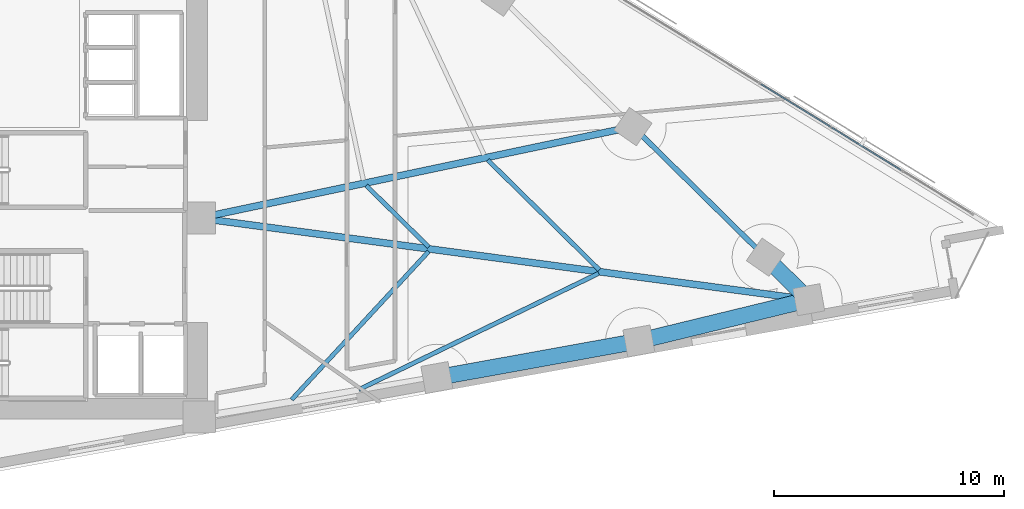
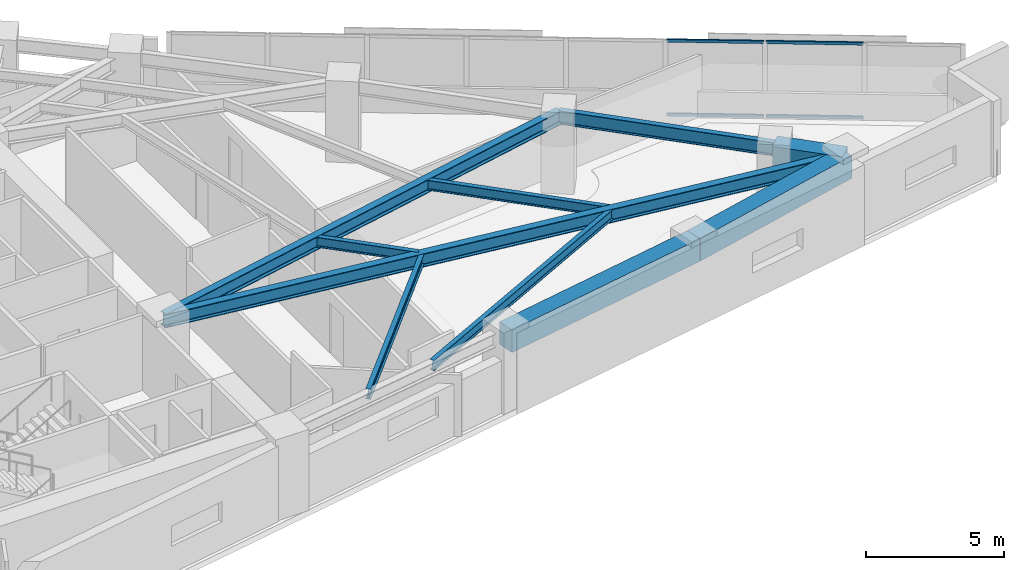
# One storey, part 3 of 18: 10 beams, 4 members, 1 element without a shape of its own.
"""IFC4 building model written with IfcOpenShell, lengths in metres."""

from ifc_helpers import new_model, si_unit, direction, frame, origin, origin_2d, place, context, subcontext, project, spatial, rectangle, hollow_rectangle, i_section, extrude, material, material_profile, profile_set, type_object, element, aggregate, save


model = new_model("IFC4")

# Units and contexts
model_context = context("Model", 3, precision=1e-05, world=origin(), true_north=direction((0.0, 1.0)))
body_context = subcontext(model_context, "Body", "Model", "MODEL_VIEW")
ifc_project = project(units=[si_unit("LENGTHUNIT", "METRE"), si_unit("AREAUNIT", "SQUARE_METRE"), si_unit("VOLUMEUNIT", "CUBIC_METRE"), si_unit("PLANEANGLEUNIT", "RADIAN"), si_unit("MASSUNIT", "GRAM", prefix="KILO")], contexts=[model_context])

# Site, building, storey
site_placement = place(None, origin())
site = spatial("IfcSite", under=ifc_project, at=site_placement, CompositionType="ELEMENT")
building_placement = place(site_placement, origin())
building = spatial("IfcBuilding", under=site, at=building_placement, Name="Narakoshi Arena Tower", CompositionType="ELEMENT")
storey_placement = place(building_placement, frame((0.0, 0.0, 102.89990234375)))
storey = spatial("IfcBuildingStorey", under=building, at=storey_placement, Name="L27", CompositionType="ELEMENT", Elevation=102.89990234375)

# Beams
ifc_material_1 = material(Name="Concrete C60/75", Category="concrete")
ifc_material_profile_1 = material_profile(ifc_material_1, rectangle(XDim=0.699951171875, YDim=1.0, at=origin_2d()), Name="RCB700x1000")
ifc_profile_set_1 = profile_set([ifc_material_profile_1], Name="Concrete C60/75")
beam_type_1 = type_object("IfcBeamType", Name="BM-CPL-1000", PredefinedType="BEAM", material=ifc_profile_set_1)
beam_1_placement = place(storey_placement, frame((95.89013671875, 36.411865234375, 2.840087890625), z_axis=(0.984043032412, 0.177930633565, 0.0), x_axis=(-0.177930633565, 0.984043032412, 0.0)))
element("IfcBeam", 1, at=beam_1_placement, inside=storey, type_object=beam_type_1, Name="L27 Perimeter Edge Girder 01", PredefinedType="BEAM", context=body_context, shape_type="SweptSolid", body=[
    extrude(rectangle(XDim=0.699951171875, YDim=1.0, at=origin_2d()), origin(), (0.0, 0.0, 1.0), 8.933837890625),
])
beam_2_placement = place(storey_placement, frame((104.681396484375, 38.00146484375, 2.840087890625), z_axis=(0.971695296423, 0.236237700019, 0.0), x_axis=(-0.236237700019, 0.971695296423, 0.0)))
element("IfcBeam", 2, at=beam_2_placement, inside=storey, type_object=beam_type_1, Name="L27 Perimeter Edge Girder 02", PredefinedType="BEAM", context=body_context, shape_type="SweptSolid", body=[
    extrude(rectangle(XDim=0.699951171875, YDim=1.0, at=origin_2d()), origin(), (0.0, 0.0, 1.0), 7.604248046875),
])
beam_3_placement = place(storey_placement, frame((112.0703125, 39.7978515625, 2.840087890625), z_axis=(-0.712541924106, 0.70162953643, 0.0), x_axis=(-0.70162953643, -0.712541924106, 0.0)))
element("IfcBeam", 3, at=beam_3_placement, inside=storey, type_object=beam_type_1, Name="L27 Perimeter Edge Girder 03", PredefinedType="BEAM", context=body_context, shape_type="SweptSolid", body=[
    extrude(rectangle(XDim=0.699951171875, YDim=1.0, at=origin_2d()), origin(), (0.0, 0.0, 1.0), 2.639892578125),
])
ifc_material_2 = material(Name="Structural steel S355J2", Category="steel")
ifc_material_profile_2 = material_profile(ifc_material_2, i_section(OverallWidth=0.219970703125, OverallDepth=0.60009765625, WebThickness=0.011962890625, FlangeThickness=0.01904296875, FilletRadius=0.02392578125, at=origin_2d()), Name="IPE600")
ifc_profile_set_2 = profile_set([ifc_material_profile_2], Name="Structural steel S355J2")
beam_type_2 = type_object("IfcBeamType", Name="BM-EDGE-600", PredefinedType="BEAM", material=ifc_profile_set_2)
beam_4_placement = place(storey_placement, frame((110.189208984375, 41.650146484375, 3.0400390625), z_axis=(-0.712543857268, 0.701627573196, 0.0), x_axis=(-0.701627573196, -0.712543857268, 0.0)))
element("IfcBeam", 4, at=beam_4_placement, inside=storey, type_object=beam_type_2, Name="L27 Perimeter Edge Girder 04", PredefinedType="BEAM", context=body_context, shape_type="SweptSolid", body=[
    extrude(i_section(OverallWidth=0.219970703125, OverallDepth=0.60009765625, WebThickness=0.011962890625, FlangeThickness=0.01904296875, FilletRadius=0.02392578125, at=origin_2d()), origin(), (0.0, 0.0, 1.0), 8.095947265625),
])
ifc_material_profile_3 = material_profile(ifc_material_2, i_section(OverallWidth=0.300048828125, OverallDepth=0.60009765625, WebThickness=0.015380859375, FlangeThickness=0.030029296875, FilletRadius=0.027099609375, at=origin_2d()), Name="HE600B")
ifc_profile_set_3 = profile_set([ifc_material_profile_3], Name="Structural steel S355J2")
beam_type_3 = type_object("IfcBeamType", Name="BM-PRI-600", PredefinedType="BEAM", material=ifc_profile_set_3)
beam_5_placement = place(storey_placement, frame((85.550048828125, 43.35009765625, 3.0400390625), z_axis=(0.991148352242, -0.132758968996, 0.0), x_axis=(0.132758968996, 0.991148352242, 0.0)))
element("IfcBeam", 5, at=beam_5_placement, inside=storey, type_object=beam_type_3, Name="L27 Radial Primary Floor Girder 03", PredefinedType="BEAM", context=body_context, shape_type="SweptSolid", body=[
    extrude(i_section(OverallWidth=0.300048828125, OverallDepth=0.60009765625, WebThickness=0.015380859375, FlangeThickness=0.030029296875, FilletRadius=0.027099609375, at=origin_2d()), origin(), (0.0, 0.0, 1.0), 26.757080078125),
])
beam_6_placement = place(storey_placement, frame((85.550048828125, 43.35009765625, 3.0400390625), z_axis=(0.978468582694, 0.206395815562, 0.0), x_axis=(-0.206395815562, 0.978468582694, 0.0)))
element("IfcBeam", 6, at=beam_6_placement, inside=storey, type_object=beam_type_3, Name="L27 Radial Primary Floor Girder 05", PredefinedType="BEAM", context=body_context, shape_type="SweptSolid", body=[
    extrude(i_section(OverallWidth=0.300048828125, OverallDepth=0.60009765625, WebThickness=0.015380859375, FlangeThickness=0.030029296875, FilletRadius=0.027099609375, at=origin_2d()), origin(), (0.0, 0.0, 1.0), 19.28564453125),
])
ifc_material_profile_4 = material_profile(ifc_material_2, i_section(OverallWidth=0.18994140625, OverallDepth=0.449951171875, WebThickness=0.009521484375, FlangeThickness=0.0146484375, FilletRadius=0.02099609375, at=origin_2d()), Name="IPE450")
ifc_profile_set_4 = profile_set([ifc_material_profile_4], Name="Structural steel S355J2")
beam_type_4 = type_object("IfcBeamType", Name="BM-SEC-450", PredefinedType="JOIST", material=ifc_profile_set_4)
beam_7_placement = place(storey_placement, frame((89.57080078125, 35.44970703125, 3.114990234375), z_axis=(0.678905336319, 0.734225812893, 0.0), x_axis=(-0.734225812893, 0.678905336319, 0.0)))
element("IfcBeam", 7, at=beam_7_placement, inside=storey, type_object=beam_type_4, Name="L27 Composite Secondary Floor Joist 01", PredefinedType="JOIST", context=body_context, shape_type="SweptSolid", body=[
    extrude(i_section(OverallWidth=0.18994140625, OverallDepth=0.449951171875, WebThickness=0.009521484375, FlangeThickness=0.0146484375, FilletRadius=0.02099609375, at=origin_2d()), origin(), (0.0, 0.0, 1.0), 8.78662109375),
])
beam_8_placement = place(storey_placement, frame((92.495849609375, 35.888671875, 3.114990234375), z_axis=(0.899874702282, 0.436148507039, 0.0), x_axis=(-0.436148507039, 0.899874702282, 0.0)))
element("IfcBeam", 8, at=beam_8_placement, inside=storey, type_object=beam_type_4, Name="L27 Composite Secondary Floor Joist 02", PredefinedType="JOIST", context=body_context, shape_type="SweptSolid", body=[
    extrude(i_section(OverallWidth=0.18994140625, OverallDepth=0.449951171875, WebThickness=0.009521484375, FlangeThickness=0.0146484375, FilletRadius=0.02099609375, at=origin_2d()), origin(), (0.0, 0.0, 1.0), 11.59716796875),
])
beam_9_placement = place(storey_placement, frame((95.531494140625, 42.094970703125, 3.114990234375), z_axis=(-0.712564847826, 0.701606255419, 0.0), x_axis=(-0.701606255419, -0.712564847826, 0.0)))
element("IfcBeam", 9, at=beam_9_placement, inside=storey, type_object=beam_type_4, Name="L27 Composite Secondary Floor Joist 03", PredefinedType="JOIST", context=body_context, shape_type="SweptSolid", body=[
    extrude(i_section(OverallWidth=0.18994140625, OverallDepth=0.449951171875, WebThickness=0.009521484375, FlangeThickness=0.0146484375, FilletRadius=0.02099609375, at=origin_2d()), origin(), (0.0, 0.0, 1.0), 3.8095703125),
])
beam_10_placement = place(storey_placement, frame((102.957275390625, 41.100341796875, 3.114990234375), z_axis=(-0.712565992933, 0.701605092424, 0.0), x_axis=(-0.701605092424, -0.712565992933, 0.0)))
element("IfcBeam", 10, at=beam_10_placement, inside=storey, type_object=beam_type_4, Name="L27 Composite Secondary Floor Joist 04", PredefinedType="JOIST", context=body_context, shape_type="SweptSolid", body=[
    extrude(i_section(OverallWidth=0.18994140625, OverallDepth=0.449951171875, WebThickness=0.009521484375, FlangeThickness=0.0146484375, FilletRadius=0.02099609375, at=origin_2d()), origin(), (0.0, 0.0, 1.0), 6.815673828125),
])

# Curtain wall, members
ifc_material_3 = material(Name="Anodised bronze aluminium 6063-T6", Category="aluminium")
curtain_wall_type = type_object("IfcCurtainWallType", Name="CW-HYP-LOW", PredefinedType="NOTDEFINED", material=ifc_material_3)
curtain_wall_placement = place(storey_placement, origin())
curtain_wall = element("IfcCurtainWall", 11, at=curtain_wall_placement, inside=storey, type_object=curtain_wall_type, Name="L27 Folded Hypotenuse Curtain Wall 1-1", PredefinedType="NOTDEFINED")
ifc_material_profile_5 = material_profile(ifc_material_3, hollow_rectangle(XDim=0.06494140625, YDim=0.1298828125, WallThickness=0.00390625, OuterFilletRadius=0.0048828125, at=origin_2d()), Name="TRN130x65x4")
ifc_profile_set_5 = profile_set([ifc_material_profile_5], Name="Anodised bronze aluminium 6063-T6")
member_type = type_object("IfcMemberType", Name="MEM-TRN-130", PredefinedType="USERDEFINED", material=ifc_profile_set_5)
member_1_placement = place(storey_placement, frame((116.085693359375, 45.4384765625, 0.03271484375), z_axis=(-0.852103699909, 0.523372988032, 0.0), x_axis=(-0.523372988032, -0.852103699909, 0.0)))
member_1 = element("IfcMember", 12, at=member_1_placement, type_object=member_type, Name="CW-01 transom 2.1", ObjectType="TRANSOM", PredefinedType="USERDEFINED", context=body_context, shape_type="SweptSolid", body=[
    extrude(hollow_rectangle(XDim=0.06494140625, YDim=0.1298828125, WallThickness=0.00390625, OuterFilletRadius=0.0048828125, at=origin_2d()), origin(), (0.0, 0.0, 1.0), 3.535888671875),
])
member_2_placement = place(storey_placement, frame((116.085693359375, 45.4384765625, 3.3076171875), z_axis=(-0.852103699909, 0.523372988032, 0.0), x_axis=(-0.523372988032, -0.852103699909, 0.0)))
member_2 = element("IfcMember", 13, at=member_2_placement, type_object=member_type, Name="CW-01 transom 2.2", ObjectType="TRANSOM", PredefinedType="USERDEFINED", context=body_context, shape_type="SweptSolid", body=[
    extrude(hollow_rectangle(XDim=0.06494140625, YDim=0.1298828125, WallThickness=0.00390625, OuterFilletRadius=0.0048828125, at=origin_2d()), origin(), (0.0, 0.0, 1.0), 3.535888671875),
])
member_3_placement = place(storey_placement, frame((113.0087890625, 47.328125, 0.03271484375), z_axis=(-0.852103699909, 0.523372988032, 0.0), x_axis=(-0.523372988032, -0.852103699909, 0.0)))
member_3 = element("IfcMember", 14, at=member_3_placement, type_object=member_type, Name="CW-01 transom 3.1", ObjectType="TRANSOM", PredefinedType="USERDEFINED", context=body_context, shape_type="SweptSolid", body=[
    extrude(hollow_rectangle(XDim=0.06494140625, YDim=0.1298828125, WallThickness=0.00390625, OuterFilletRadius=0.0048828125, at=origin_2d()), origin(), (0.0, 0.0, 1.0), 3.535888671875),
])
member_4_placement = place(storey_placement, frame((113.0087890625, 47.328125, 3.3076171875), z_axis=(-0.852103699909, 0.523372988032, 0.0), x_axis=(-0.523372988032, -0.852103699909, 0.0)))
member_4 = element("IfcMember", 15, at=member_4_placement, type_object=member_type, Name="CW-01 transom 3.2", ObjectType="TRANSOM", PredefinedType="USERDEFINED", context=body_context, shape_type="SweptSolid", body=[
    extrude(hollow_rectangle(XDim=0.06494140625, YDim=0.1298828125, WallThickness=0.00390625, OuterFilletRadius=0.0048828125, at=origin_2d()), origin(), (0.0, 0.0, 1.0), 3.535888671875),
])
aggregate(curtain_wall, [member_1, member_2, member_3, member_4])

save(model, "model.ifc")
